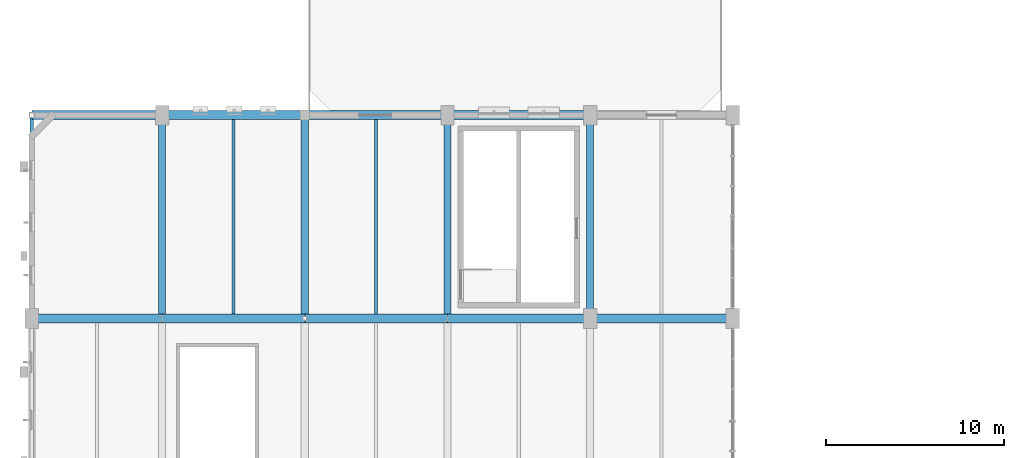
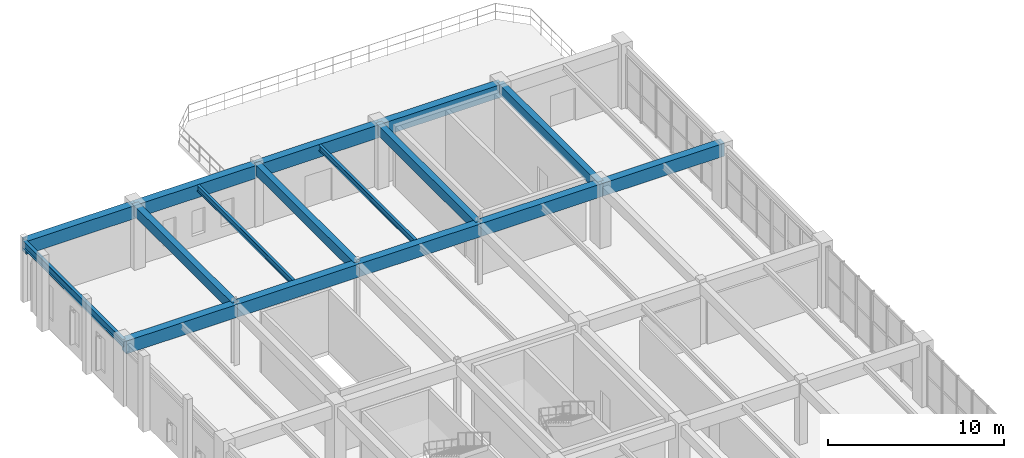
# One storey, part 9 of 48: 16 beams.
"""IFC4 building model written with IfcOpenShell, lengths in metres."""

from ifc_helpers import new_model, si_unit, direction, frame, origin, origin_2d, place, context, subcontext, project, spatial, rectangle, i_section, extrude, material, material_profile, profile_set, type_object, element, save


model = new_model("IFC4")

# Units and contexts
model_context = context("Model", 3, precision=1e-05, world=origin(), true_north=direction((0.0, 1.0)))
body_context = subcontext(model_context, "Body", "Model", "MODEL_VIEW")
ifc_project = project(units=[si_unit("LENGTHUNIT", "METRE"), si_unit("AREAUNIT", "SQUARE_METRE"), si_unit("VOLUMEUNIT", "CUBIC_METRE"), si_unit("PLANEANGLEUNIT", "RADIAN"), si_unit("MASSUNIT", "GRAM", prefix="KILO"), si_unit("POWERUNIT", "WATT"), si_unit("THERMODYNAMICTEMPERATUREUNIT", "KELVIN")], contexts=[model_context])

# Site, building, storey
site_placement = place(None, origin())
site = spatial("IfcSite", under=ifc_project, at=site_placement, CompositionType="ELEMENT")
building_placement = place(site_placement, origin())
building = spatial("IfcBuilding", under=site, at=building_placement, Name="Kelmbourne Parkland Aquatics Centre", CompositionType="ELEMENT")
storey_placement = place(building_placement, frame((0.0, 0.0, 14.699951171875)))
storey = spatial("IfcBuildingStorey", under=building, at=storey_placement, Name="L03", CompositionType="ELEMENT", Elevation=14.699951171875)

# Beams
ifc_material_1 = material(Name="Concrete C40/50", Category="concrete")
ifc_material_profile_1 = material_profile(ifc_material_1, rectangle(XDim=0.5, YDim=0.89990234375, at=origin_2d()), Name="RC 500x900")
ifc_profile_set_1 = profile_set([ifc_material_profile_1], Name="Concrete C40/50")
beam_type_1 = type_object("IfcBeamType", Name="BM-G03", PredefinedType="BEAM", material=ifc_profile_set_1)
beam_1_placement = place(storey_placement, frame((0.699951171875, 35.0, 3.81005859375), z_axis=(1.0, 0.0, 0.0), x_axis=(0.0, 1.0, 0.0)))
element("IfcBeam", 1, at=beam_1_placement, inside=storey, type_object=beam_type_1, Name="Primary girder A-B Grid 05 (L04)", PredefinedType="BEAM", context=body_context, shape_type="SweptSolid", body=[
    extrude(rectangle(XDim=0.5, YDim=0.89990234375, at=origin_2d()), origin(), (0.0, 0.0, 1.0), 7.300048828125),
])
for number, where, z_axis, x_axis, name in (
    (2, (8.0, 35.0, 3.81005859375), (1.0, 0.0, 0.0), (0.0, 1.0, 0.0), "Primary girder B-C Grid 05 (L04)"),
    (3, (16.0, 35.0, 3.81005859375), (1.0, 0.0, 0.0), (0.0, 1.0, 0.0), "Primary girder C-D Grid 05 (L04)"),
    (4, (24.0, 35.0, 3.81005859375), (1.0, 0.0, 0.0), (0.0, 1.0, 0.0), "Primary girder D-E Grid 05 (L04)"),
    (5, (32.0, 35.0, 3.81005859375), (1.0, 0.0, 0.0), (0.0, 1.0, 0.0), "Primary girder E-F Grid 05 (L04)"),
):
    element("IfcBeam", number, at=place(storey_placement, frame(where, z_axis=z_axis, x_axis=x_axis)), inside=storey, type_object=beam_type_1, Name=name, PredefinedType="BEAM", context=body_context, shape_type="SweptSolid", body=[
        extrude(rectangle(XDim=0.5, YDim=0.89990234375, at=origin_2d()), origin(), (0.0, 0.0, 1.0), 8.0),
    ])
beam_2_placement = place(storey_placement, frame((0.699951171875, 46.39990234375, 3.81005859375), z_axis=(1.0, 0.0, 0.0), x_axis=(0.0, 1.0, 0.0)))
element("IfcBeam", 6, at=beam_2_placement, inside=storey, type_object=beam_type_1, Name="Primary girder A-B Grid 06 (L04)", PredefinedType="BEAM", context=body_context, shape_type="SweptSolid", body=[
    extrude(rectangle(XDim=0.5, YDim=0.89990234375, at=origin_2d()), origin(), (0.0, 0.0, 1.0), 7.300048828125),
])
for number, where, z_axis, x_axis, name in (
    (7, (8.0, 46.39990234375, 3.81005859375), (1.0, 0.0, 0.0), (0.0, 1.0, 0.0), "Primary girder B-C Grid 06 (L04)"),
    (8, (16.0, 46.39990234375, 3.81005859375), (1.0, 0.0, 0.0), (0.0, 1.0, 0.0), "Primary girder C-D Grid 06 (L04)"),
    (9, (24.0, 46.39990234375, 3.81005859375), (1.0, 0.0, 0.0), (0.0, 1.0, 0.0), "Primary girder D-E Grid 06 (L04)"),
):
    element("IfcBeam", number, at=place(storey_placement, frame(where, z_axis=z_axis, x_axis=x_axis)), inside=storey, type_object=beam_type_1, Name=name, PredefinedType="BEAM", context=body_context, shape_type="SweptSolid", body=[
        extrude(rectangle(XDim=0.5, YDim=0.89990234375, at=origin_2d()), origin(), (0.0, 0.0, 1.0), 8.0),
    ])
ifc_material_profile_2 = material_profile(ifc_material_1, rectangle(XDim=0.39990234375, YDim=0.699951171875, at=origin_2d()), Name="RC 400x700")
ifc_profile_set_2 = profile_set([ifc_material_profile_2], Name="Concrete C40/50")
beam_type_2 = type_object("IfcBeamType", Name="BM-G05", PredefinedType="BEAM", material=ifc_profile_set_2)
for number, where, z_axis, x_axis, name in (
    (10, (8.0, 35.0, 3.91015625), (0.0, 1.0, 0.0), (-1.0, 0.0, 0.0), "Primary girder 05-06 Grid B (L04)"),
    (11, (16.0, 35.0, 3.91015625), (0.0, 1.0, 0.0), (-1.0, 0.0, 0.0), "Primary girder 05-06 Grid C (L04)"),
    (12, (24.0, 35.0, 3.91015625), (0.0, 1.0, 0.0), (-1.0, 0.0, 0.0), "Primary girder 05-06 Grid D (L04)"),
    (13, (32.0, 35.0, 3.91015625), (0.0, 1.0, 0.0), (-1.0, 0.0, 0.0), "Primary girder 05-06 Grid E (L04)"),
):
    element("IfcBeam", number, at=place(storey_placement, frame(where, z_axis=z_axis, x_axis=x_axis)), inside=storey, type_object=beam_type_2, Name=name, PredefinedType="BEAM", context=body_context, shape_type="SweptSolid", body=[
        extrude(rectangle(XDim=0.39990234375, YDim=0.699951171875, at=origin_2d()), origin(), (0.0, 0.0, 1.0), 11.39990234375),
    ])
ifc_material_2 = material(Name="Structural steel AS/NZS 3679.1 Grade 300", Category="steel")
ifc_material_profile_3 = material_profile(ifc_material_2, i_section(OverallWidth=0.177978515625, OverallDepth=0.406005859375, WebThickness=0.0078125, FlangeThickness=0.0126953125, at=origin_2d()), Name="410UB59.7")
ifc_profile_set_3 = profile_set([ifc_material_profile_3], Name="Structural steel AS/NZS 3679.1 Grade 300")
beam_type_3 = type_object("IfcBeamType", Name="BM-J01", PredefinedType="JOIST", material=ifc_profile_set_3)
for number, where, z_axis, x_axis, name in (
    (14, (12.0, 35.241943359375, 4.05712890625), (0.0, 1.0, 0.0), (-1.0, 0.0, 0.0), "Secondary floor joist B-C/05-06 #1 (L04)"),
    (15, (20.0, 35.241943359375, 4.05712890625), (0.0, 1.0, 0.0), (-1.0, 0.0, 0.0), "Secondary floor joist C-D/05-06 #1 (L04)"),
):
    element("IfcBeam", number, at=place(storey_placement, frame(where, z_axis=z_axis, x_axis=x_axis)), inside=storey, type_object=beam_type_3, Name=name, PredefinedType="JOIST", context=body_context, shape_type="SweptSolid", body=[
        extrude(i_section(OverallWidth=0.177978515625, OverallDepth=0.406005859375, WebThickness=0.0078125, FlangeThickness=0.0126953125, at=origin_2d()), origin(), (0.0, 0.0, 1.0), 10.916015625),
    ])
ifc_material_profile_4 = material_profile(ifc_material_2, i_section(OverallWidth=0.208984375, OverallDepth=0.532958984375, WebThickness=0.01025390625, FlangeThickness=0.015625, at=origin_2d()), Name="530UB92.4")
ifc_profile_set_4 = profile_set([ifc_material_profile_4], Name="Structural steel AS/NZS 3679.1 Grade 300")
beam_type_4 = type_object("IfcBeamType", Name="BM-SP02", PredefinedType="SPANDREL", material=ifc_profile_set_4)
beam_3_placement = place(storey_placement, frame((0.699951171875, 35.0, 3.99365234375), z_axis=(0.0, 1.0, 0.0), x_axis=(-1.0, 0.0, 0.0)))
element("IfcBeam", 16, at=beam_3_placement, inside=storey, type_object=beam_type_4, Name="Perimeter spandrel 05-06 Grid A (L04)", PredefinedType="SPANDREL", context=body_context, shape_type="SweptSolid", body=[
    extrude(i_section(OverallWidth=0.208984375, OverallDepth=0.532958984375, WebThickness=0.01025390625, FlangeThickness=0.015625, at=origin_2d()), origin(), (0.0, 0.0, 1.0), 11.39990234375),
])

save(model, "model.ifc")
